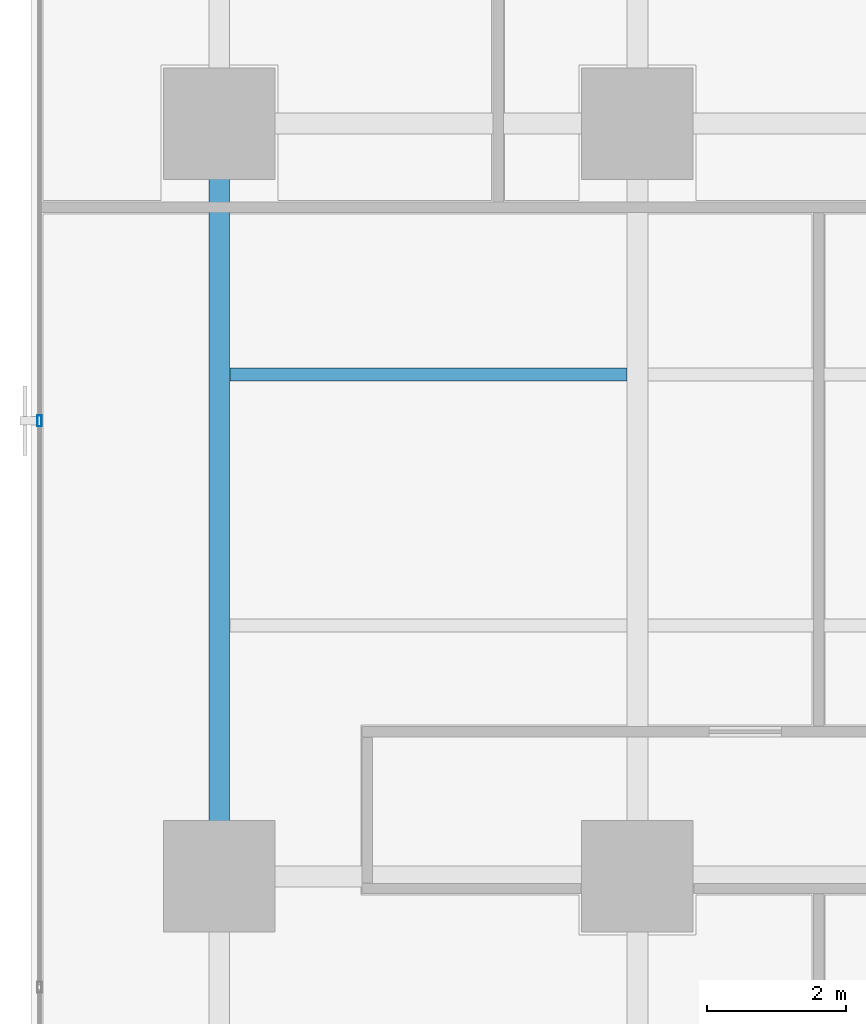
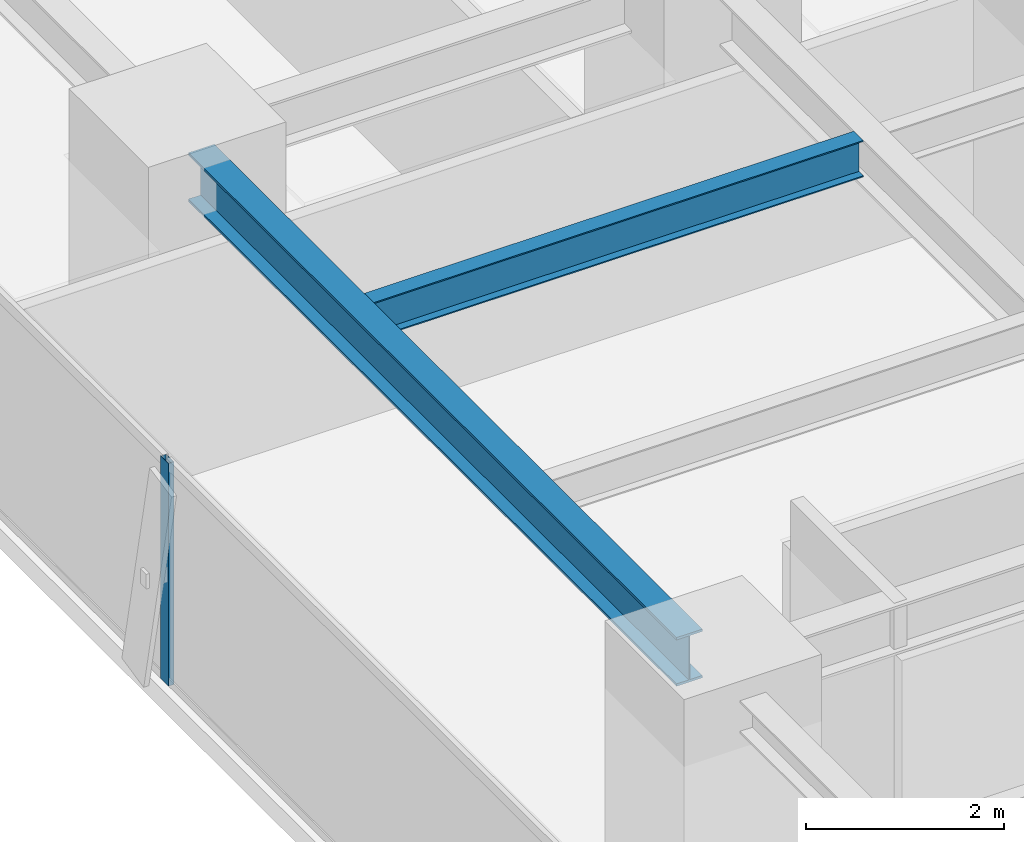
# One storey, part 8 of 36: 2 beams, 1 member, 1 element without a shape of its own.
"""IFC4 building model written with IfcOpenShell, lengths in metres."""

from ifc_helpers import new_model, si_unit, direction, frame, origin, origin_2d, place, context, subcontext, project, spatial, hollow_rectangle, i_section, extrude, source, transform, mapped, material, layer, layer_set, material_profile, profile_set, type_object, element, aggregate, save


model = new_model("IFC4")

# Units and contexts
model_context = context("Model", 3, precision=1e-05, world=origin(), true_north=direction((0.0, 1.0)))
body_context = subcontext(model_context, "Body", "Model", "MODEL_VIEW")
ifc_project = project(units=[si_unit("LENGTHUNIT", "METRE"), si_unit("AREAUNIT", "SQUARE_METRE"), si_unit("VOLUMEUNIT", "CUBIC_METRE"), si_unit("PLANEANGLEUNIT", "RADIAN"), si_unit("MASSUNIT", "GRAM", prefix="KILO")], contexts=[model_context])

# Site, building, storey
site_placement = place(None, origin())
site = spatial("IfcSite", under=ifc_project, at=site_placement, CompositionType="ELEMENT")
building_placement = place(site_placement, origin())
building = spatial("IfcBuilding", under=site, at=building_placement, Name="Sumidabori Civic Tower", CompositionType="ELEMENT")
storey_placement = place(building_placement, frame((0.0, 0.0, 92.0)))
storey = spatial("IfcBuildingStorey", under=building, at=storey_placement, Name="L23", CompositionType="ELEMENT", Elevation=92.0)

# Beams
ifc_material_1 = material(Name="Steel SN490", Category="steel")
ifc_material_profile_1 = material_profile(ifc_material_1, i_section(OverallWidth=0.300048828125, OverallDepth=0.60009765625, WebThickness=0.015380859375, FlangeThickness=0.030029296875, at=origin_2d()), Name="HE 600 B")
ifc_profile_set_1 = profile_set([ifc_material_profile_1], Name="Steel SN490")
beam_type_1 = type_object("IfcBeamType", Name="BM-GIRD-600", PredefinedType="BEAM", material=ifc_profile_set_1)
shared_shape_1 = source(origin(), body_context, "Body", "SweptSolid", [
    extrude(i_section(OverallWidth=0.300048828125, OverallDepth=0.60009765625, WebThickness=0.015380859375, FlangeThickness=0.030029296875, at=origin_2d()), origin(), (0.0, 0.0, 1.0), 9.840087890625),
])
beam_1_placement = place(storey_placement, frame((-22.800048828125, -10.320068359375, 3.06005859375), z_axis=(0.0, 1.0, 0.0), x_axis=(-1.0, 0.0, 0.0)))
element("IfcBeam", 1, at=beam_1_placement, inside=storey, type_object=beam_type_1, Name="Primary Girder L23 GY-22", PredefinedType="BEAM", context=body_context, shape_type="MappedRepresentation", body=[
    mapped(shared_shape_1, transform((0.0, 0.0, 0.0), x_axis=(1.0, 0.0, 0.0), y_axis=(0.0, 1.0, 0.0), z_axis=(0.0, 0.0, 1.0), scale=1.0)),
])
ifc_material_profile_2 = material_profile(ifc_material_1, i_section(OverallWidth=0.18994140625, OverallDepth=0.449951171875, WebThickness=0.009521484375, FlangeThickness=0.0146484375, at=origin_2d()), Name="IPE 450")
ifc_profile_set_2 = profile_set([ifc_material_profile_2], Name="Steel SN490")
beam_type_2 = type_object("IfcBeamType", Name="BM-JST-450", PredefinedType="JOIST", material=ifc_profile_set_2)
shared_shape_2 = source(origin(), body_context, "Body", "SweptSolid", [
    extrude(i_section(OverallWidth=0.18994140625, OverallDepth=0.449951171875, WebThickness=0.009521484375, FlangeThickness=0.0146484375, at=origin_2d()), origin(), (0.0, 0.0, 1.0), 5.699951171875),
])
beam_2_placement = place(storey_placement, frame((-22.64990234375, -3.60009765625, 3.135009765625), z_axis=(1.0, 0.0, 0.0), x_axis=(0.0, 1.0, 0.0)))
element("IfcBeam", 2, at=beam_2_placement, inside=storey, type_object=beam_type_2, Name="Outer Bay Floor Joist L23 JSTO-45", PredefinedType="JOIST", context=body_context, shape_type="MappedRepresentation", body=[
    mapped(shared_shape_2, transform((0.0, 0.0, 0.0), x_axis=(1.0, 0.0, 0.0), y_axis=(0.0, 1.0, 0.0), z_axis=(0.0, 0.0, 1.0), scale=1.0)),
])

# Curtain wall, member
ifc_material_2 = material(Name="Anodised Bronze Aluminium AW-6063-T6", Category="aluminium")
ifc_layer = layer(ifc_material_2, 0.179931640625, Name="Anodised Bronze Aluminium AW-6063-T6")
ifc_layer_set = layer_set([ifc_layer], Name="Anodised Bronze Aluminium AW-6063-T6")
curtain_wall_type = type_object("IfcCurtainWallType", Name="CW-SYS-3", PredefinedType="NOTDEFINED", material=ifc_layer_set)
curtain_wall_placement = place(storey_placement, origin())
curtain_wall = element("IfcCurtainWall", 3, at=curtain_wall_placement, inside=storey, type_object=curtain_wall_type, Name="Curtain Wall CW:L23:R10", PredefinedType="NOTDEFINED")
ifc_material_profile_3 = material_profile(ifc_material_2, hollow_rectangle(XDim=0.06494140625, YDim=0.159912109375, WallThickness=0.0048828125, at=origin_2d()), Name="ALU MULLION 160x65")
ifc_profile_set_3 = profile_set([ifc_material_profile_3], Name="Anodised Bronze Aluminium AW-6063-T6")
member_type = type_object("IfcMemberType", Name="CW-MUL-160", PredefinedType="MULLION", material=ifc_profile_set_3)
shared_shape_3 = source(origin(), body_context, "Body", "SweptSolid", [
    extrude(hollow_rectangle(XDim=0.06494140625, YDim=0.159912109375, WallThickness=0.0048828125, at=origin_2d()), origin(), (0.0, 0.0, 1.0), 2.739990234375),
])
member_placement = place(storey_placement, frame((-25.3798828125, -4.263916015625, 0.0), z_axis=(0.0, 0.0, 1.0), x_axis=(1.0, 0.0, 0.0)))
member = element("IfcMember", 4, at=member_placement, type_object=member_type, Name="CW-3 mullion 4", PredefinedType="MULLION", context=body_context, shape_type="MappedRepresentation", body=[
    mapped(shared_shape_3, transform((0.0, 0.0, 0.0), x_axis=(1.0, 0.0, 0.0), y_axis=(0.0, 1.0, 0.0), z_axis=(0.0, 0.0, 1.0), scale=1.0)),
])
aggregate(curtain_wall, [member])

save(model, "model.ifc")
